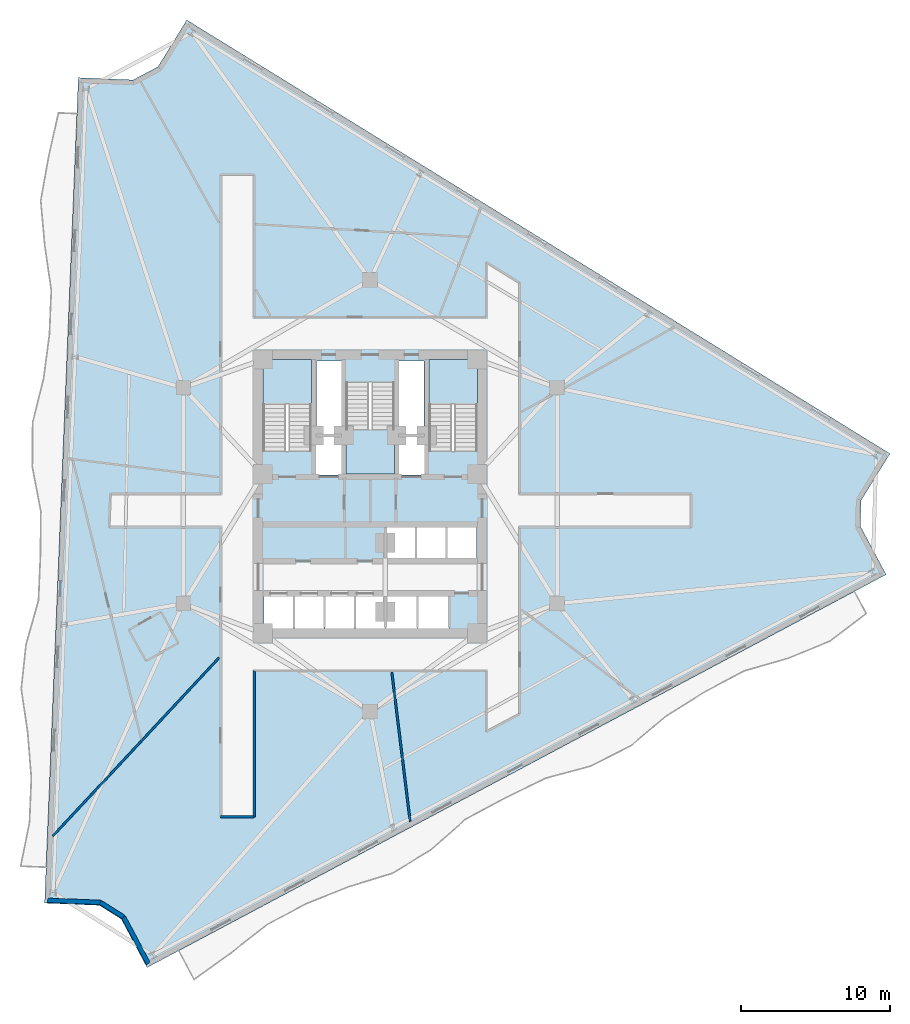
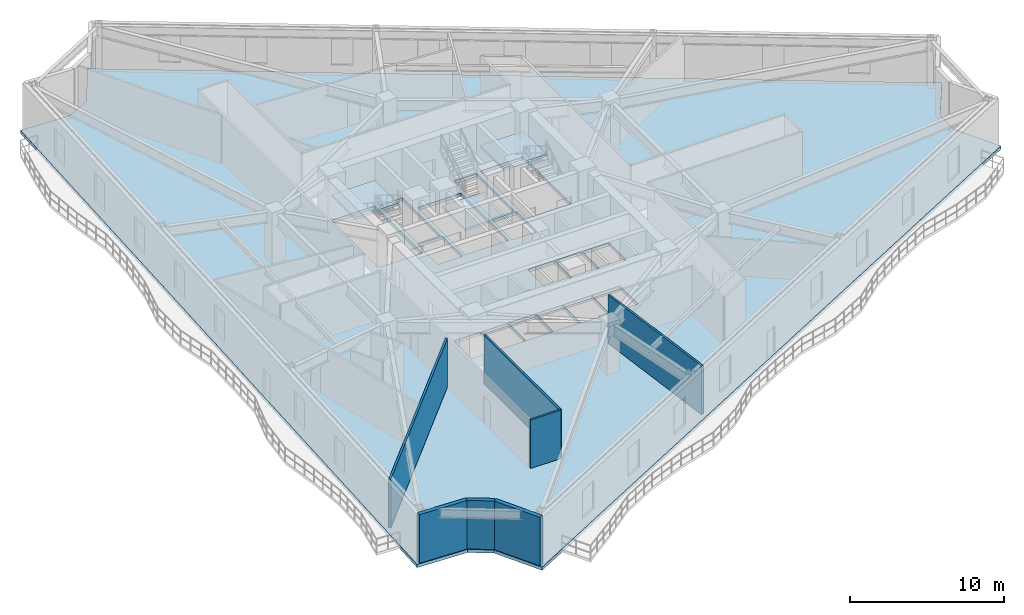
# One storey, part 4 of 11: 7 walls, 4 slabs, 3 elements without a shape of their own.
"""IFC4 building model written with IfcOpenShell, lengths in metres."""

from ifc_helpers import new_model, si_unit, direction, frame, frame_2d, origin, place, context, subcontext, project, spatial, polyline, rectangle, outline, extrude, material, layer, layer_set, type_object, element, aggregate, save


model = new_model("IFC4")

# Units and contexts
model_context = context("Model", 3, precision=1e-05, world=origin(), true_north=direction((0.0, 1.0)))
body_context = subcontext(model_context, "Body", "Model", "MODEL_VIEW")
ifc_project = project(units=[si_unit("LENGTHUNIT", "METRE"), si_unit("AREAUNIT", "SQUARE_METRE"), si_unit("VOLUMEUNIT", "CUBIC_METRE"), si_unit("PLANEANGLEUNIT", "RADIAN"), si_unit("MASSUNIT", "GRAM", prefix="KILO")], contexts=[model_context])

# Site, building, storey
site_placement = place(None, origin())
site = spatial("IfcSite", under=ifc_project, at=site_placement, CompositionType="ELEMENT")
building_placement = place(site_placement, origin())
building = spatial("IfcBuilding", under=site, at=building_placement, Name="Apsidion Concourse Tower", CompositionType="ELEMENT")
storey_placement = place(building_placement, frame((0.0, 0.0, 169.60009765625)))
storey = spatial("IfcBuildingStorey", under=building, at=storey_placement, Name="L39", CompositionType="ELEMENT", Elevation=169.60009765625)

# Slab
ifc_material_1 = material(Name="Concrete C50/60", Category="concrete")
ifc_layer_1 = layer(ifc_material_1, 0.25)
ifc_layer_set_1 = layer_set([ifc_layer_1], Name="Concrete C50/60")
slab_type_1 = type_object("IfcSlabType", Name="SL-FLR-250", PredefinedType="FLOOR", material=ifc_layer_set_1)
slab_1_placement = place(storey_placement, frame((0.0, 0.0, -0.25)))
element("IfcSlab", 1, at=slab_1_placement, inside=storey, type_object=slab_type_1, Name="L39 Structural Floor Slab", PredefinedType="FLOOR", context=body_context, shape_type="SweptSolid", body=[
    extrude(outline(polyline([(-12.3203125, 31.964111328125), (-14.256103515625, 28.824951171875), (-15.925048828125, 27.937744140625), (-19.610107421875, 28.088134765625), (-21.87548828125, -27.376220703125), (-18.1904296875, -27.526611328125), (-16.724609375, -28.448486328125), (-14.9931640625, -31.705078125), (34.668701171875, -5.29931640625), (32.937255859375, -2.04296875), (32.992431640625, -0.31201171875), (34.92822265625, 2.826904296875), (-12.3203125, 31.964111328125)]), holes=[polyline([(-3.949951171875, 3.0), (-3.949951171875, 9.14990234375), (-7.199951171875, 9.14990234375), (-7.199951171875, 3.0), (-3.949951171875, 3.0)]), polyline([(7.199951171875, 3.0), (7.199951171875, 9.14990234375), (3.949951171875, 9.14990234375), (3.949951171875, 3.0), (7.199951171875, 3.0)]), polyline([(-1.625, 7.60009765625), (-1.625, 1.449951171875), (1.625, 1.449951171875), (1.625, 7.60009765625), (-1.625, 7.60009765625)]), polyline([(1.054931640625, -4.300048828125), (3.044921875, -4.300048828125), (3.044921875, -2.050048828125), (1.054931640625, -2.050048828125), (1.054931640625, -4.300048828125)]), polyline([(3.10498046875, -4.300048828125), (5.094970703125, -4.300048828125), (5.094970703125, -2.050048828125), (3.10498046875, -2.050048828125), (3.10498046875, -4.300048828125)]), polyline([(5.155029296875, -4.300048828125), (7.14501953125, -4.300048828125), (7.14501953125, -2.050048828125), (5.155029296875, -2.050048828125), (5.155029296875, -4.300048828125)]), polyline([(-7.14501953125, -8.949951171875), (-5.155029296875, -8.949951171875), (-5.155029296875, -6.64990234375), (-7.14501953125, -6.64990234375), (-7.14501953125, -8.949951171875)]), polyline([(-5.094970703125, -8.949951171875), (-3.10498046875, -8.949951171875), (-3.10498046875, -6.64990234375), (-5.094970703125, -6.64990234375), (-5.094970703125, -8.949951171875)]), polyline([(-3.044921875, -8.949951171875), (-1.054931640625, -8.949951171875), (-1.054931640625, -6.64990234375), (-3.044921875, -6.64990234375), (-3.044921875, -8.949951171875)]), polyline([(-0.9951171875, -8.949951171875), (0.9951171875, -8.949951171875), (0.9951171875, -6.64990234375), (-0.9951171875, -6.64990234375), (-0.9951171875, -8.949951171875)]), polyline([(1.044921875, -9.0), (3.155029296875, -9.0), (3.155029296875, -6.64990234375), (1.044921875, -6.64990234375), (1.044921875, -9.0)]), polyline([(3.195068359375, -9.0), (5.304931640625, -9.0), (5.304931640625, -6.64990234375), (3.195068359375, -6.64990234375), (3.195068359375, -9.0)]), polyline([(-3.7099609375, 1.39990234375), (-1.85009765625, 1.39990234375), (-1.85009765625, 4.0), (-3.7099609375, 4.0), (-3.7099609375, 1.39990234375)]), polyline([(1.85009765625, 1.39990234375), (3.7099609375, 1.39990234375), (3.7099609375, 4.0), (1.85009765625, 4.0), (1.85009765625, 1.39990234375)]), polyline([(-3.6201171875, 4.14990234375), (-1.93994140625, 4.14990234375), (-1.93994140625, 9.050048828125), (-3.6201171875, 9.050048828125), (-3.6201171875, 4.14990234375)]), polyline([(1.93994140625, 4.14990234375), (3.6201171875, 4.14990234375), (3.6201171875, 9.050048828125), (1.93994140625, 9.050048828125), (1.93994140625, 4.14990234375)])]), origin(), (0.0, 0.0, 1.0), 0.25),
])

# Stair, slab
ifc_material_2 = material(Name="Precast concrete C40/50", Category="concrete")
stair_type = type_object("IfcStairType", Name="ST-DL-1550", PredefinedType="HALF_TURN_STAIR", material=ifc_material_2)
stair_1_placement = place(storey_placement, origin())
stair_1 = element("IfcStair", 2, at=stair_1_placement, inside=storey, type_object=stair_type, Name="L39 Protected Core Exit Stair ST1", PredefinedType="HALF_TURN_STAIR")
ifc_layer_2 = layer(ifc_material_1, 0.199951171875)
ifc_layer_set_2 = layer_set([ifc_layer_2], Name="Concrete C50/60")
slab_type_2 = type_object("IfcSlabType", Name="SL-ST-LAND-200", PredefinedType="LANDING", material=ifc_layer_set_2)
slab_2_placement = place(storey_placement, frame((0.0, 0.0, 1.849853515625)))
slab_2 = element("IfcSlab", 3, at=slab_2_placement, type_object=slab_type_2, Name="ST1 landing 1", PredefinedType="LANDING", context=body_context, shape_type="SweptSolid", body=[
    extrude(outline(polyline([(-3.949951171875, 6.135009765625), (-3.949951171875, 9.14990234375), (-7.199951171875, 9.14990234375), (-7.199951171875, 6.135009765625), (-3.949951171875, 6.135009765625)])), origin(), (0.0, 0.0, 1.0), 0.199951171875),
])
aggregate(stair_1, [slab_2])

stair_2_placement = place(storey_placement, origin())
stair_2 = element("IfcStair", 4, at=stair_2_placement, inside=storey, type_object=stair_type, Name="L39 Protected Core Exit Stair ST2", PredefinedType="HALF_TURN_STAIR")
slab_3_placement = place(storey_placement, frame((0.0, 0.0, 1.849853515625)))
slab_3 = element("IfcSlab", 5, at=slab_3_placement, type_object=slab_type_2, Name="ST2 landing 1", PredefinedType="LANDING", context=body_context, shape_type="SweptSolid", body=[
    extrude(outline(polyline([(7.199951171875, 6.135009765625), (7.199951171875, 9.14990234375), (3.949951171875, 9.14990234375), (3.949951171875, 6.135009765625), (7.199951171875, 6.135009765625)])), origin(), (0.0, 0.0, 1.0), 0.199951171875),
])
aggregate(stair_2, [slab_3])

stair_3_placement = place(storey_placement, origin())
stair_3 = element("IfcStair", 6, at=stair_3_placement, inside=storey, type_object=stair_type, Name="L39 Protected Core Exit Stair ST3", PredefinedType="HALF_TURN_STAIR")
slab_4_placement = place(storey_placement, frame((0.0, 0.0, 1.849853515625)))
slab_4 = element("IfcSlab", 7, at=slab_4_placement, type_object=slab_type_2, Name="ST3 landing 1", PredefinedType="LANDING", context=body_context, shape_type="SweptSolid", body=[
    extrude(outline(polyline([(-1.625, 4.465087890625), (-1.625, 1.449951171875), (1.625, 1.449951171875), (1.625, 4.465087890625), (-1.625, 4.465087890625)])), origin(), (0.0, 0.0, 1.0), 0.199951171875),
])
aggregate(stair_3, [slab_4])

# Walls
ifc_layer_3 = layer(ifc_material_2, 0.300048828125)
ifc_layer_set_3 = layer_set([ifc_layer_3], Name="Precast concrete C40/50")
wall_type_1 = type_object("IfcWallType", Name="WL-EXT-300", PredefinedType="STANDARD", material=ifc_layer_set_3)
wall_1_placement = place(storey_placement, frame((-14.910400390625, -31.4345703125, 0.0), z_axis=(0.0, 0.0, 1.0), x_axis=(-0.469464339615, 0.882951433449, 0.0)))
element("IfcWall", 8, at=wall_1_placement, inside=storey, type_object=wall_type_1, Name="L39 Precast Stone Facade Wall 06", PredefinedType="STANDARD", context=body_context, shape_type="SweptSolid", body=[
    extrude(rectangle(XDim=3.54150390625, YDim=0.300048828125, at=frame_2d((1.770751953125, 0.0))), origin(), (0.0, 0.0, 1.0), 3.849853515625),
])
wall_2_placement = place(storey_placement, frame((-16.572998046875, -28.3076171875, 0.0), z_axis=(0.0, 0.0, 1.0), x_axis=(-0.846450132201, 0.53246800251, 0.0)))
element("IfcWall", 9, at=wall_2_placement, inside=storey, type_object=wall_type_1, Name="L39 Precast Stone Facade Wall 07", PredefinedType="STANDARD", context=body_context, shape_type="SweptSolid", body=[
    extrude(rectangle(XDim=1.838134765625, YDim=0.300048828125, at=frame_2d((0.9189453125, 0.0))), origin(), (0.0, 0.0, 1.0), 3.849853515625),
])
wall_3_placement = place(storey_placement, frame((-18.12890625, -27.328857421875, 0.0), z_axis=(0.0, 0.0, 1.0), x_axis=(-0.999166906151, 0.040810460083, 0.0)))
element("IfcWall", 10, at=wall_3_placement, inside=storey, type_object=wall_type_1, Name="L39 Precast Stone Facade Wall 08", PredefinedType="STANDARD", context=body_context, shape_type="SweptSolid", body=[
    extrude(rectangle(XDim=3.54150390625, YDim=0.300048828125, at=frame_2d((1.770751953125, 0.0))), origin(), (0.0, 0.0, 1.0), 3.849853515625),
])
ifc_material_3 = material(Name="Gypsum plasterboard partition")
ifc_layer_4 = layer(ifc_material_3, 0.14990234375)
ifc_layer_set_4 = layer_set([ifc_layer_4], Name="Gypsum plasterboard partition")
wall_type_2 = type_object("IfcWallType", Name="WL-INT-PAR-150", PredefinedType="PARTITIONING", material=ifc_layer_set_4)
wall_4_placement = place(storey_placement, frame((-7.7900390625, -11.77490234375, 0.0), z_axis=(0.0, 0.0, 1.0), x_axis=(0.0, -1.0, 0.0)))
element("IfcWall", 11, at=wall_4_placement, inside=storey, type_object=wall_type_2, Name="L39 Interior Partition WL-L39-CORR-04", PredefinedType="PARTITIONING", context=body_context, shape_type="SweptSolid", body=[
    extrude(rectangle(XDim=9.80517578125, YDim=0.14990234375, at=frame_2d((4.902587890625, 0.0))), origin(), (0.0, 0.0, 1.0), 3.849853515625),
])
wall_5_placement = place(storey_placement, frame((-7.7900390625, -21.580078125, 0.0), z_axis=(0.0, 0.0, 1.0), x_axis=(-1.0, 0.0, 0.0)))
element("IfcWall", 12, at=wall_5_placement, inside=storey, type_object=wall_type_2, Name="L39 Interior Partition WL-L39-CORR-05", PredefinedType="PARTITIONING", context=body_context, shape_type="SweptSolid", body=[
    extrude(rectangle(XDim=2.260009765625, YDim=0.14990234375, at=frame_2d((1.1298828125, 0.0))), origin(), (0.0, 0.0, 1.0), 3.849853515625),
])
wall_6_placement = place(storey_placement, frame((-10.155029296875, -10.889892578125, 0.0), z_axis=(0.0, 0.0, 1.0), x_axis=(-0.681993176045, -0.731358535759, 0.0)))
element("IfcWall", 13, at=wall_6_placement, inside=storey, type_object=wall_type_2, Name="L39 Interior Partition WL-L39-RAD-05-1", PredefinedType="PARTITIONING", context=body_context, shape_type="SweptSolid", body=[
    extrude(rectangle(XDim=16.3798828125, YDim=0.14990234375, at=frame_2d((8.18994140625, 0.0))), origin(), (0.0, 0.0, 1.0), 3.849853515625),
])
wall_7_placement = place(storey_placement, frame((1.458740234375, -11.8798828125, 0.0), z_axis=(0.0, 0.0, 1.0), x_axis=(0.121856576786, -0.992547719102, 0.0)))
element("IfcWall", 14, at=wall_7_placement, inside=storey, type_object=wall_type_2, Name="L39 Interior Partition WL-L39-RAD-06-1", PredefinedType="PARTITIONING", context=body_context, shape_type="SweptSolid", body=[
    extrude(rectangle(XDim=10.085693359375, YDim=0.14990234375, at=frame_2d((5.04296875, 0.0))), origin(), (0.0, 0.0, 1.0), 3.849853515625),
])

save(model, "model.ifc")
